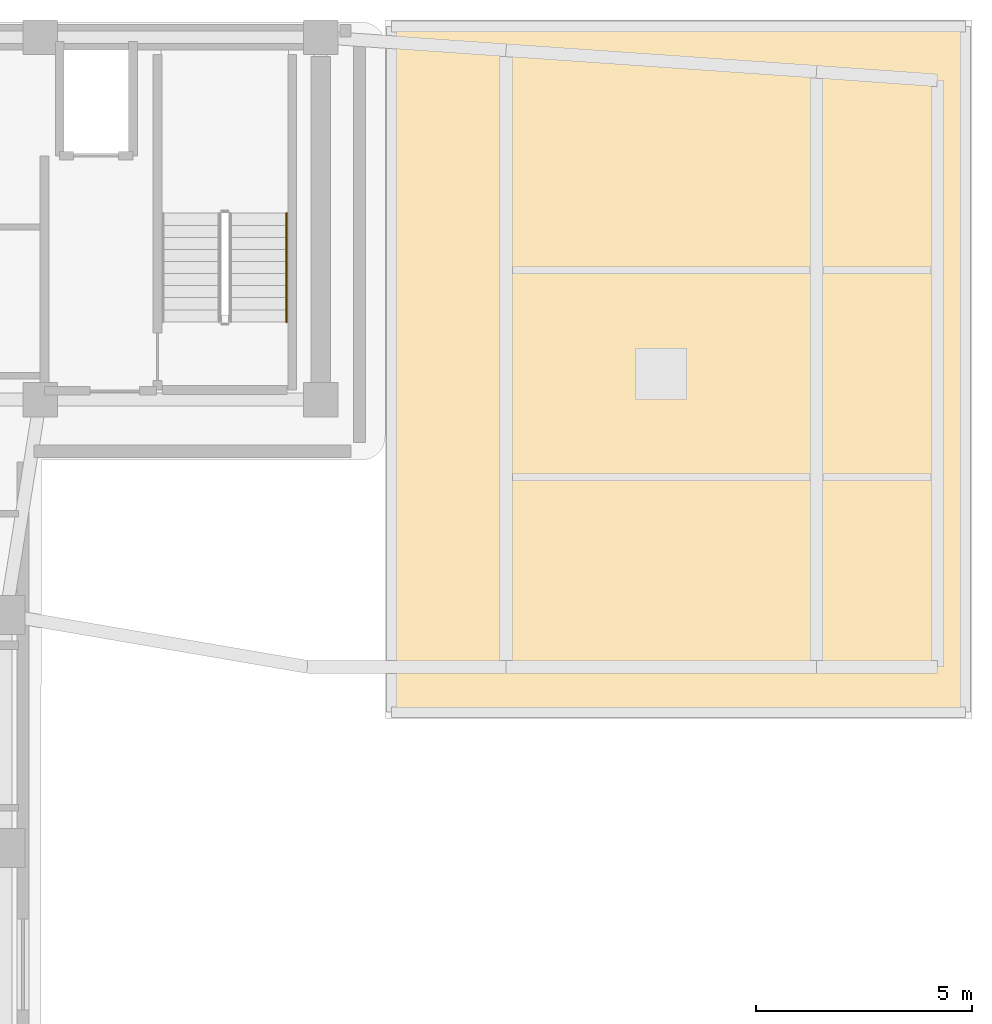
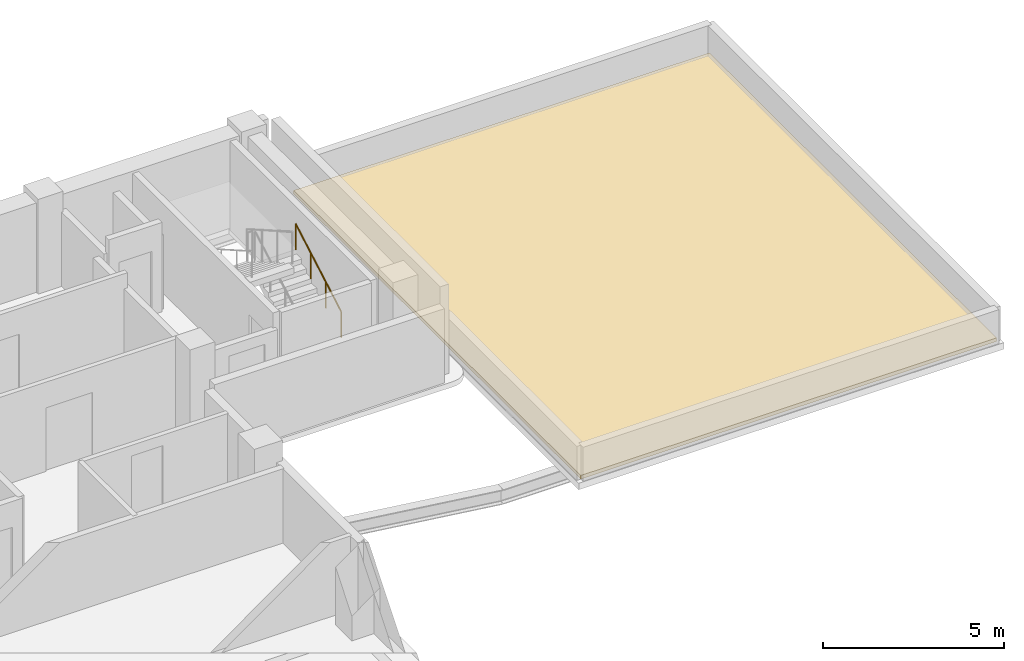
# One storey, part 6 of 6: 1 covering, 1 railing.
"""IFC4 building model written with IfcOpenShell, lengths in metres."""

import ifcopenshell
import ifcopenshell.guid

model = None  # the IFC model being written
_history = None  # IfcOwnerHistory: only IFC2X3 demands one
_inside = {}  # id of a spatial element -> (the spatial element, [elements in it])
_under = {}  # id of a project, library or spatial element -> (it, [spatial elements below it])
_declared = {}  # id of a project -> (the project, [libraries it declares])
_typed = {}  # id of a type object -> (the type object, [elements of that type])
_made_of = {}  # id of a material, layer set ... -> (it, [elements and type objects made of it])


def new_model(schema):
    """Start an empty IFC model of exactly this schema.

    Asked for "IFC4X3", IfcOpenShell would pick the latest addendum, in which some entities
    have other attributes; the version numbers below select the first issue.
    IFC2X3 requires an IfcOwnerHistory on every rooted entity: one is made here for all.
    """
    global model, _history
    if schema == "IFC4X3":
        model = ifcopenshell.file(schema_version=(4, 3, 0, 0))
    else:
        model = ifcopenshell.file(schema=schema)
    _inside.clear()
    _under.clear()
    _declared.clear()
    _typed.clear()
    _made_of.clear()
    _history = None
    if model.schema == "IFC2X3":
        org = make("IfcOrganization", Name="unknown")
        user = make(
            "IfcPersonAndOrganization",
            ThePerson=make("IfcPerson", FamilyName="unknown"),
            TheOrganization=org,
        )
        app = make(
            "IfcApplication",
            ApplicationDeveloper=org,
            Version="unknown",
            ApplicationFullName="unknown",
            ApplicationIdentifier="unknown",
        )
        _history = make(
            "IfcOwnerHistory",
            OwningUser=user,
            OwningApplication=app,
            ChangeAction="ADDED",
            CreationDate=0,
        )
    return model


def make(cls, **values):
    """One entity of the class cls with the attributes given. An attribute that is None is left unset."""
    return model.create_entity(
        cls, **{name: value for name, value in values.items() if value is not None}
    )


def rooted(cls, **values):
    """An entity with a GlobalId (a new one), such as an element, a storey or a relation."""
    return make(cls, GlobalId=ifcopenshell.guid.new(), OwnerHistory=_history, **values)


def si_unit(unit_type, name, prefix=None):
    """IfcSIUnit, for example si_unit("LENGTHUNIT", "METRE", prefix="MILLI")."""
    return make("IfcSIUnit", UnitType=unit_type, Prefix=prefix, Name=name)


def assignment(units):
    """IfcUnitAssignment: the units of a project."""
    return None if units is None else make("IfcUnitAssignment", Units=units)


def point(xyz):
    """IfcCartesianPoint."""
    return None if xyz is None else make("IfcCartesianPoint", Coordinates=xyz)


def direction(xyz):
    """IfcDirection."""
    return None if xyz is None else make("IfcDirection", DirectionRatios=xyz)


def frame(location, z_axis=None, x_axis=None):
    """IfcAxis2Placement3D, a coordinate frame: its origin and axes. An axis left out is left unset."""
    return make(
        "IfcAxis2Placement3D",
        Location=point(location),
        Axis=direction(z_axis),
        RefDirection=direction(x_axis),
    )


def frame_2d(location, x_axis=None):
    """IfcAxis2Placement2D, a coordinate frame in the plane: its origin and x axis."""
    return make(
        "IfcAxis2Placement2D", Location=point(location), RefDirection=direction(x_axis)
    )


def origin():
    """The frame at (0, 0, 0) with its axes left unset."""
    return frame((0.0, 0.0, 0.0))


def origin_2d():
    """The frame at (0, 0) in the plane with its x axis left unset."""
    return frame_2d((0.0, 0.0))


def place(relative_to, where):
    """IfcLocalPlacement: puts the frame where relative to a parent placement (None: the world)."""
    return make(
        "IfcLocalPlacement", PlacementRelTo=relative_to, RelativePlacement=where
    )


def context(
    kind, dimensions, precision=None, world=None, true_north=None, identifier=None
):
    """IfcGeometricRepresentationContext, for example the 3D "Model" context."""
    return make(
        "IfcGeometricRepresentationContext",
        ContextIdentifier=identifier,
        ContextType=kind,
        CoordinateSpaceDimension=dimensions,
        Precision=precision,
        WorldCoordinateSystem=world,
        TrueNorth=true_north,
    )


def subcontext(parent, identifier, kind, view, scale=None):
    """IfcGeometricRepresentationSubContext, for example "Body" below "Model"."""
    return make(
        "IfcGeometricRepresentationSubContext",
        ContextIdentifier=identifier,
        ContextType=kind,
        ParentContext=parent,
        TargetScale=scale,
        TargetView=view,
    )


def project(units=None, contexts=None):
    """IfcProject with its units and contexts."""
    return rooted(
        "IfcProject",
        Name="project",
        RepresentationContexts=contexts,
        UnitsInContext=assignment(units),
    )


def spatial(cls, under=None, at=None, **own):
    """A site, building, storey or space (cls), placed at a placement, below another one or the project."""
    s = rooted(cls, ObjectPlacement=at, **own)
    if under is not None:
        _under.setdefault(under.id(), (under, []))[1].append(s)
    return s


def polyline(points):
    """IfcPolyline through the points."""
    return make("IfcPolyline", Points=[point(p) for p in points])


def profile(cls, at=None, kind="AREA", **sizes):
    """A parametric profile (cls). Its sizes go by their IFC names, for example OverallWidth=200.0."""
    return make(cls, ProfileType=kind, Position=at, **sizes)


def circle(**sizes):
    """IfcCircleProfileDef."""
    return profile("IfcCircleProfileDef", **sizes)


def outline(outer, holes=None, kind="AREA"):
    """IfcArbitraryClosedProfileDef: a profile drawn as a closed curve; with holes, ...WithVoids."""
    if holes is None:
        return make("IfcArbitraryClosedProfileDef", ProfileType=kind, OuterCurve=outer)
    return make(
        "IfcArbitraryProfileDefWithVoids",
        ProfileType=kind,
        OuterCurve=outer,
        InnerCurves=holes,
    )


def extrude(swept, where, along, depth):
    """IfcExtrudedAreaSolid: the profile swept, set in the frame where, extruded along a direction by depth."""
    return make(
        "IfcExtrudedAreaSolid",
        SweptArea=swept,
        Position=where,
        ExtrudedDirection=direction(along),
        Depth=depth,
    )


def shape(context_of_items, identifier, shape_type, items):
    """IfcShapeRepresentation: the items that make up one representation, for example the "Body"."""
    return make(
        "IfcShapeRepresentation",
        ContextOfItems=context_of_items,
        RepresentationIdentifier=identifier,
        RepresentationType=shape_type,
        Items=items,
    )


def material(Name=None, Category=None):
    """IfcMaterial."""
    return make("IfcMaterial", Name=Name, Category=Category)


def layer(
    of_material, thickness, ventilated=None, Name=None, Category=None, Priority=None
):
    """IfcMaterialLayer: one layer of a wall or slab, of a material (None: an air gap)."""
    return make(
        "IfcMaterialLayer",
        Material=of_material,
        LayerThickness=thickness,
        IsVentilated=ventilated,
        Name=Name,
        Category=Category,
        Priority=Priority,
    )


def layer_set(layers, Name=None):
    """IfcMaterialLayerSet."""
    return make("IfcMaterialLayerSet", MaterialLayers=layers, LayerSetName=Name)


def made_of(thing, what):
    """Note that an element or type object is made of a material, layer set ...; save() writes the relation."""
    if what is not None:
        _made_of.setdefault(what.id(), (what, []))[1].append(thing)
    return thing


def type_object(cls, material=None, **own):
    """A type object (cls), such as IfcWallType, which elements share."""
    return made_of(rooted(cls, **own), material)


def element(
    cls,
    number,
    at=None,
    inside=None,
    cuts=None,
    type_object=None,
    material=None,
    context=None,
    identifier="Body",
    shape_type=None,
    held_by="IfcProductDefinitionShape",
    body=None,
    shapes=None,
    **own,
):
    """One element of the class cls, such as IfcWall. Its Tag is "e" and its number.

    at: its placement. inside: the storey or other place that contains it. cuts: it is an
    opening in that element (IfcRelVoidsElement). A single representation is given by context,
    identifier, shape_type and body (its items); several are given by shapes. held_by: the class
    of the entity that holds the representations. save() writes the other relations.
    """
    e = rooted(cls, Tag="e%d" % number, ObjectPlacement=at, **own)
    if body is not None:
        shapes = [shape(context, identifier, shape_type, body)]
    if shapes is not None:
        e.Representation = make(held_by, Representations=shapes)
    if inside is not None:
        _inside.setdefault(inside.id(), (inside, []))[1].append(e)
    if cuts is not None:
        rooted(
            "IfcRelVoidsElement", RelatingBuildingElement=cuts, RelatedOpeningElement=e
        )
    if type_object is not None:
        _typed.setdefault(type_object.id(), (type_object, []))[1].append(e)
    return made_of(e, material)


def aggregate(whole, parts):
    """IfcRelAggregates: a whole, such as a stair, and the parts it consists of."""
    return rooted("IfcRelAggregates", RelatingObject=whole, RelatedObjects=parts)


def save(model, path):
    """Write the relations noted so far, then the file.

    IfcRelAggregates (storeys below a building ...), IfcRelContainedInSpatialStructure (elements
    in a storey), IfcRelDefinesByType, IfcRelAssociatesMaterial and IfcRelDeclares: one each for
    every whole, place, type object, material and project.
    """
    for whole, parts in _under.values():
        aggregate(whole, parts)
    for where, things in _inside.values():
        rooted(
            "IfcRelContainedInSpatialStructure",
            RelatedElements=things,
            RelatingStructure=where,
        )
    for kind, things in _typed.values():
        rooted("IfcRelDefinesByType", RelatedObjects=things, RelatingType=kind)
    for what, things in _made_of.values():
        rooted("IfcRelAssociatesMaterial", RelatedObjects=things, RelatingMaterial=what)
    for by, libraries in _declared.values():
        rooted("IfcRelDeclares", RelatingContext=by, RelatedDefinitions=libraries)
    model.write(path)


model = new_model("IFC4")

# Units and contexts
model_context = context("Model", 3, precision=1e-05, world=origin(), true_north=direction((0.0, 1.0)))
body_context = subcontext(model_context, "Body", "Model", "MODEL_VIEW")
ifc_project = project(units=[si_unit("LENGTHUNIT", "METRE"), si_unit("AREAUNIT", "SQUARE_METRE"), si_unit("VOLUMEUNIT", "CUBIC_METRE"), si_unit("PLANEANGLEUNIT", "RADIAN"), si_unit("MASSUNIT", "GRAM", prefix="KILO")], contexts=[model_context])

# Site, building, storey
site_placement = place(None, origin())
site = spatial("IfcSite", under=ifc_project, at=site_placement, CompositionType="ELEMENT")
building_placement = place(site_placement, origin())
building = spatial("IfcBuilding", under=site, at=building_placement, Name="Kuzgunbayir Cultural Tower", CompositionType="ELEMENT")
storey_placement = place(building_placement, frame((0.0, 0.0, 204.800048828125)))
storey = spatial("IfcBuildingStorey", under=building, at=storey_placement, Name="L60", CompositionType="ELEMENT", Elevation=204.800048828125)

# Covering
ifc_material_1 = material(Name="Anatolian Cream Limestone", Category="masonry")
ifc_layer_1 = layer(ifc_material_1, 0.1201171875)
ifc_layer_set_1 = layer_set([ifc_layer_1], Name="Anatolian Cream Limestone")
covering_type = type_object("IfcCoveringType", Name="COV-ROOF-STONE-12", PredefinedType="ROOFING", material=ifc_layer_set_1)
covering_placement = place(storey_placement, origin())
element("IfcCovering", 1, at=covering_placement, inside=storey, type_object=covering_type, Name="L60 Warm Limestone Ballasted Roof Covering", PredefinedType="ROOFING", context=body_context, shape_type="SweptSolid", body=[
    extrude(outline(polyline([(28.550048828125, 26.550048828125), (41.85009765625, 26.550048828125), (41.85009765625, 42.449951171875), (28.550048828125, 42.449951171875), (28.550048828125, 26.550048828125)])), origin(), (0.0, 0.0, 1.0), 0.119873046875),
])

# Railing
ifc_material_2 = material(Name="Brushed Stainless Steel", Category="steel")
ifc_layer_2 = layer(ifc_material_2, 0.050048828125)
ifc_layer_set_2 = layer_set([ifc_layer_2], Name="Brushed Stainless Steel")
railing_type = type_object("IfcRailingType", Name="RLG-STAIR-HANDRAIL", PredefinedType="HANDRAIL", material=ifc_layer_set_2)
railing_placement = place(storey_placement, frame((26.110107421875, 35.60009765625, 0.159912109375)))
element("IfcRailing", 2, at=railing_placement, inside=storey, type_object=railing_type, Name="L60 ST-2 stair handrail 1", PredefinedType="HANDRAIL", context=body_context, shape_type="SweptSolid", body=[
    extrude(circle(Radius=0.02392578125, at=origin_2d()), frame((0.0, 0.0, 0.8759765625), z_axis=(0.0, 0.868253494771, 0.496120820787), x_axis=(-1.0, 0.0, 0.0)), (0.0, 0.0, 1.0), 2.90234375),
    extrude(circle(Radius=0.02099609375, at=origin_2d()), origin(), (0.0, 0.0, 1.0), 0.851806640625),
    extrude(circle(Radius=0.02099609375, at=origin_2d()), frame((0.0, 0.840087890625, 0.47998046875)), (0.0, 0.0, 1.0), 0.851806640625),
    extrude(circle(Radius=0.02099609375, at=origin_2d()), frame((0.0, 1.679931640625, 0.9599609375)), (0.0, 0.0, 1.0), 0.851806640625),
    extrude(circle(Radius=0.02099609375, at=origin_2d()), frame((0.0, 2.52001953125, 1.43994140625)), (0.0, 0.0, 1.0), 0.851806640625),
])

save(model, "model.ifc")
